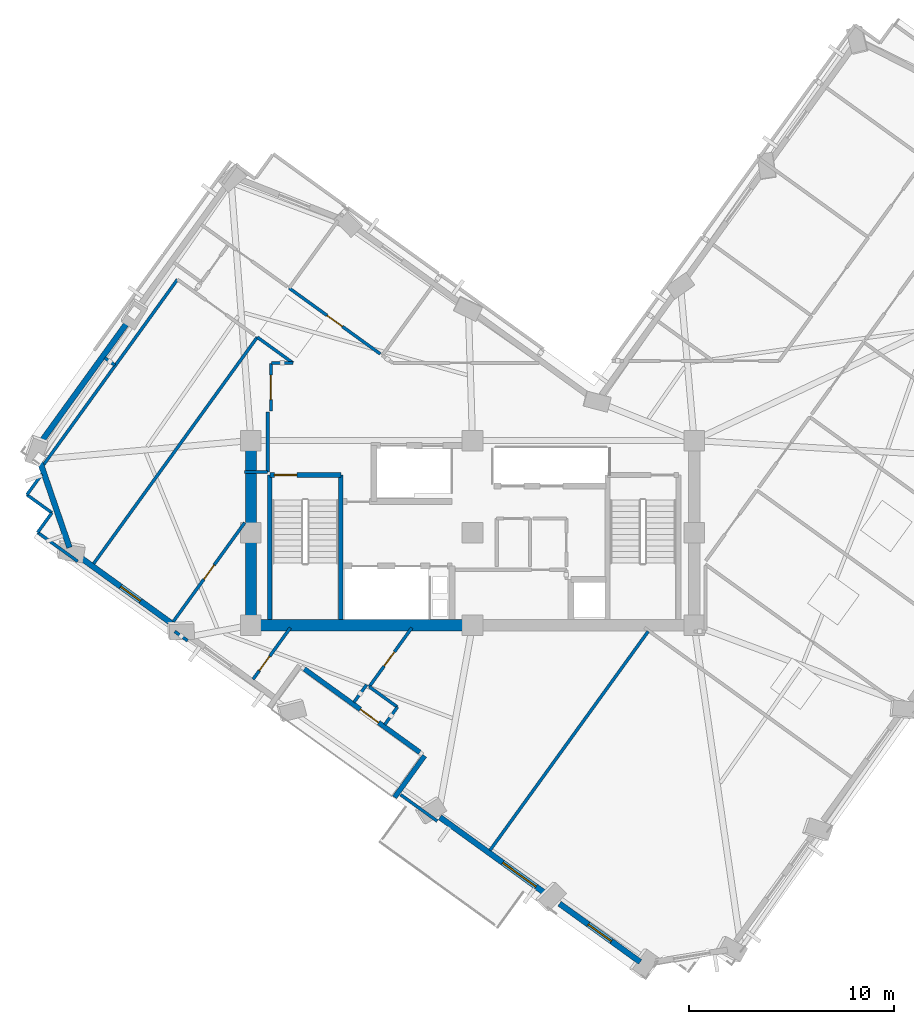
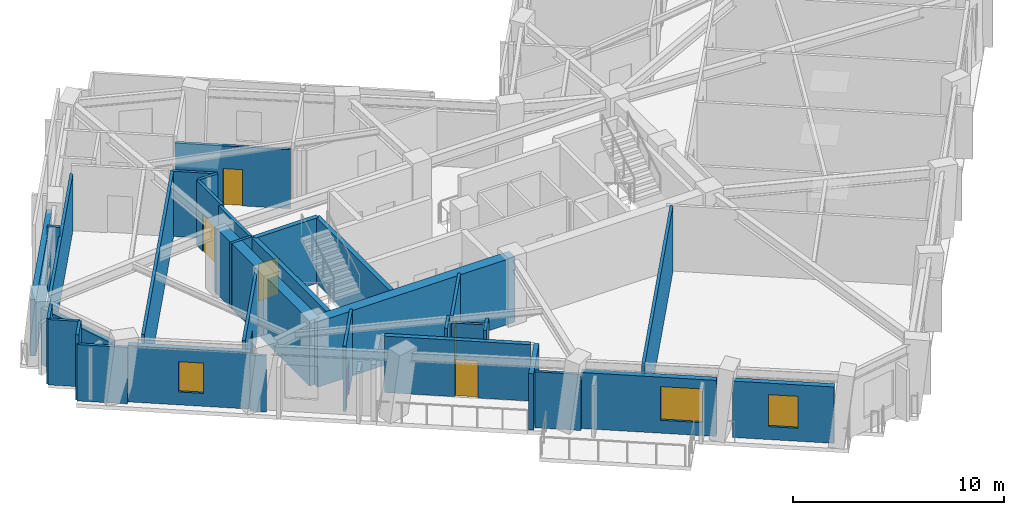
# One storey, part 4 of 13: 34 walls, 7 doors, 3 windows, 10 openings.
"""IFC4 building model written with IfcOpenShell, lengths in metres."""

from ifc_helpers import new_model, si_unit, direction, frame, frame_2d, origin, place, context, subcontext, project, spatial, rectangle, extrude, material, layer, layer_set, type_object, element, fill, save


model = new_model("IFC4")

# Units and contexts
model_context = context("Model", 3, precision=1e-05, world=origin(), true_north=direction((0.0, 1.0)))
body_context = subcontext(model_context, "Body", "Model", "MODEL_VIEW")
ifc_project = project(units=[si_unit("LENGTHUNIT", "METRE"), si_unit("AREAUNIT", "SQUARE_METRE"), si_unit("VOLUMEUNIT", "CUBIC_METRE"), si_unit("PLANEANGLEUNIT", "RADIAN"), si_unit("MASSUNIT", "GRAM", prefix="KILO")], contexts=[model_context])

# Site, building, storey
site_placement = place(None, origin())
site = spatial("IfcSite", under=ifc_project, at=site_placement, CompositionType="ELEMENT")
building_placement = place(site_placement, origin())
building = spatial("IfcBuilding", under=site, at=building_placement, Name="Gaonmaruhae Medical Tower", CompositionType="ELEMENT")
storey_placement = place(building_placement, frame((0.0, 0.0, 255.199951171875)))
storey = spatial("IfcBuildingStorey", under=building, at=storey_placement, Name="L61", CompositionType="ELEMENT", Elevation=255.199951171875)

# Walls
ifc_material_1 = material(Name="Concrete C50/60", Category="concrete")
ifc_layer_1 = layer(ifc_material_1, 0.550048828125)
ifc_layer_set_1 = layer_set([ifc_layer_1], Name="Concrete C50/60")
wall_type_1 = type_object("IfcWallType", Name="CW-550 Mid-High Core Shear Wall", PredefinedType="SHEAR", material=ifc_layer_set_1)
wall_1_placement = place(storey_placement, frame((14.0, 7.800048828125, 0.0), z_axis=(0.0, 0.0, 1.0), x_axis=(1.0, 0.0, 0.0)))
element("IfcWall", 1, at=wall_1_placement, inside=storey, type_object=wall_type_1, Name="L61 Core Shear Wall CSW-S1", PredefinedType="SHEAR", context=body_context, shape_type="SweptSolid", body=[
    extrude(rectangle(XDim=10.800048828125, YDim=0.550048828125, at=frame_2d((5.39990234375, 0.0))), origin(), (0.0, 0.0, 1.0), 3.780029296875),
])
wall_2_placement = place(storey_placement, frame((14.0, 16.800048828125, 0.0), z_axis=(0.0, 0.0, 1.0), x_axis=(0.0, -1.0, 0.0)))
element("IfcWall", 2, at=wall_2_placement, inside=storey, type_object=wall_type_1, Name="L61 Core Shear Wall CSW-W1", PredefinedType="SHEAR", context=body_context, shape_type="SweptSolid", body=[
    extrude(rectangle(XDim=9.0, YDim=0.550048828125, at=frame_2d((4.5, 0.0))), origin(), (0.0, 0.0, 1.0), 3.780029296875),
])

# Wall, opening, door
ifc_material_2 = material(Name="Precast concrete C45/55", Category="concrete")
ifc_layer_2 = layer(ifc_material_2, 0.239990234375)
ifc_layer_set_2 = layer_set([ifc_layer_2], Name="Precast concrete C45/55")
wall_type_2 = type_object("IfcWallType", Name="EW-240 Ribbon & Shelter Insulated Precast Wall", PredefinedType="SOLIDWALL", material=ifc_layer_set_2)
wall_3_placement = place(storey_placement, frame((22.2392578125, 1.59814453125, 0.0), z_axis=(0.0, 0.0, 1.0), x_axis=(-0.810564518145, 0.585649350656, 0.0)))
wall_3 = element("IfcWall", 3, at=wall_3_placement, inside=storey, type_object=wall_type_2, Name="L61 Recessed Terrace Enclosure Wall TERB", PredefinedType="SOLIDWALL", context=body_context, shape_type="SweptSolid", body=[
    extrude(rectangle(XDim=6.960205078125, YDim=0.239990234375, at=frame_2d((3.47998046875, 0.0))), origin(), (0.0, 0.0, 1.0), 3.26513671875),
])
opening_1_placement = place(wall_3_placement, frame((2.485107421875, 0.0, 0.0)))
opening_1 = element("IfcOpeningElement", 4, at=opening_1_placement, cuts=wall_3, Name="Opening TD-01", PredefinedType="OPENING", context=body_context, shape_type="SweptSolid", body=[
    extrude(rectangle(XDim=1.10009765625, YDim=2.14990234375, at=frame_2d((0.550048828125, 1.074951171875))), frame((0.0, 0.1298828125, 0.0), z_axis=(0.0, -1.0, 0.0), x_axis=(1.0, 0.0, 0.0)), (0.0, 0.0, 1.0), 0.260009765625),
])
ifc_material_3 = material(Name="Anodised aluminium and toughened safety glass", Category="aluminium")
door_type_1 = type_object("IfcDoorType", Name="TD-01 Terrace & Sky Garden Glazed Door 1100x2150", OperationType="NOTDEFINED", PredefinedType="DOOR", material=ifc_material_3)
door_1_placement = place(opening_1_placement, origin())
door_1 = element("IfcDoor", 5, at=door_1_placement, inside=storey, type_object=door_type_1, Name="L61 Outdoor Terrace Access Door SLB-L61-TER", OperationType="SINGLE_SWING_LEFT", OverallHeight=2.14990234375, OverallWidth=1.10009765625, PredefinedType="DOOR", context=body_context, shape_type="SweptSolid", body=[
    extrude(rectangle(XDim=1.10009765625, YDim=2.14990234375, at=frame_2d((0.550048828125, 1.074951171875))), frame((0.0, 0.02490234375, 0.0), z_axis=(0.0, -1.0, 0.0), x_axis=(1.0, 0.0, 0.0)), (0.0, 0.0, 1.0), 0.050048828125),
])
fill(opening_1, door_1)

# Walls
wall_4_placement = place(storey_placement, frame((21.001953125, -0.59228515625, 0.0), z_axis=(0.0, 0.0, 1.0), x_axis=(0.585654559629, 0.810560754531, 0.0)))
element("IfcWall", 6, at=wall_4_placement, inside=storey, type_object=wall_type_2, Name="L61 Recessed Terrace Enclosure Wall TERL", PredefinedType="SOLIDWALL", context=body_context, shape_type="SweptSolid", body=[
    extrude(rectangle(XDim=2.5, YDim=0.239990234375, at=frame_2d((1.25, 0.0))), origin(), (0.0, 0.0, 1.0), 3.26513671875),
])
ifc_layer_3 = layer(ifc_material_2, 0.280029296875)
ifc_layer_set_3 = layer_set([ifc_layer_3], Name="Precast concrete C45/55")
wall_type_3 = type_object("IfcWallType", Name="EW-280 Upper Precast Masonry-Frame Facade Wall", PredefinedType="SOLIDWALL", material=ifc_layer_set_3)
wall_5_placement = place(storey_placement, frame((3.62158203125, 16.5205078125, 0.0), z_axis=(0.0, 0.0, 1.0), x_axis=(0.585672755105, 0.810547607441, 0.0)))
element("IfcWall", 7, at=wall_5_placement, inside=storey, type_object=wall_type_3, Name="L61 Precast Masonry-Frame Wall N02-N03", PredefinedType="SOLIDWALL", context=body_context, shape_type="SweptSolid", body=[
    extrude(rectangle(XDim=7.484619140625, YDim=0.280029296875, at=frame_2d((3.7421875, 0.0))), origin(), (0.0, 0.0, 1.0), 3.26513671875),
])
wall_6_placement = place(storey_placement, frame((5.158203125, 11.5830078125, 0.0), z_axis=(0.0, 0.0, 1.0), x_axis=(-0.324440430391, 0.945906130188, 0.0)))
element("IfcWall", 8, at=wall_6_placement, inside=storey, type_object=wall_type_3, Name="L61 Precast Masonry-Frame Wall N03-W01", PredefinedType="SOLIDWALL", context=body_context, shape_type="SweptSolid", body=[
    extrude(rectangle(XDim=4.408203125, YDim=0.280029296875, at=frame_2d((2.2041015625, 0.0))), origin(), (0.0, 0.0, 1.0), 3.26513671875),
])

# Wall, opening, window
wall_7_placement = place(storey_placement, frame((10.42041015625, 7.6826171875, 0.0), z_axis=(0.0, 0.0, 1.0), x_axis=(-0.810541185411, 0.585681642834, 0.0)))
wall_7 = element("IfcWall", 9, at=wall_7_placement, inside=storey, type_object=wall_type_3, Name="L61 Precast Masonry-Frame Wall W01-W02", PredefinedType="SOLIDWALL", context=body_context, shape_type="SweptSolid", body=[
    extrude(rectangle(XDim=5.83056640625, YDim=0.280029296875, at=frame_2d((2.915283203125, 0.0))), origin(), (0.0, 0.0, 1.0), 3.26513671875),
])
opening_2_placement = place(wall_7_placement, frame((2.216796875, 0.0, 0.75)))
opening_2 = element("IfcOpeningElement", 10, at=opening_2_placement, cuts=wall_7, Name="Opening WN-05", PredefinedType="OPENING", context=body_context, shape_type="SweptSolid", body=[
    extrude(rectangle(XDim=1.199951171875, YDim=1.75, at=frame_2d((0.60009765625, 0.875))), frame((0.0, 0.14990234375, 0.0), z_axis=(0.0, -1.0, 0.0), x_axis=(1.0, 0.0, 0.0)), (0.0, 0.0, 1.0), 0.300048828125),
])
ifc_material_4 = material(Name="Anodised aluminium and Low-E double glazing", Category="aluminium")
window_type_1 = type_object("IfcWindowType", Name="WN-05 Support & Staff Punched Window 1200x1750", PartitioningType="SINGLE_PANEL", PredefinedType="WINDOW", material=ifc_material_4)
window_1_placement = place(opening_2_placement, origin())
window_1 = element("IfcWindow", 11, at=window_1_placement, inside=storey, type_object=window_type_1, Name="L61 Modular Facade Window W01", OverallHeight=1.75, OverallWidth=1.199951171875, PartitioningType="SINGLE_PANEL", PredefinedType="WINDOW", context=body_context, shape_type="SweptSolid", body=[
    extrude(rectangle(XDim=1.199951171875, YDim=1.75, at=frame_2d((0.60009765625, 0.875))), frame((0.0, 0.030029296875, 0.0), z_axis=(0.0, -1.0, 0.0), x_axis=(1.0, 0.0, 0.0)), (0.0, 0.0, 1.0), 0.06005859375),
])
fill(opening_2, window_1)

wall_8_placement = place(storey_placement, frame((28.422119140625, -5.324462890625, 0.0), z_axis=(0.0, 0.0, 1.0), x_axis=(-0.810547947174, 0.585672284928, 0.0)))
wall_8 = element("IfcWall", 12, at=wall_8_placement, inside=storey, type_object=wall_type_3, Name="L61 Precast Masonry-Frame Wall W04-W05", PredefinedType="SOLIDWALL", context=body_context, shape_type="SweptSolid", body=[
    extrude(rectangle(XDim=6.425048828125, YDim=0.280029296875, at=frame_2d((3.21240234375, 0.0))), origin(), (0.0, 0.0, 1.0), 3.2451171875),
])
opening_3_placement = place(wall_8_placement, frame((0.652587890625, 0.0, 0.75)))
opening_3 = element("IfcOpeningElement", 13, at=opening_3_placement, cuts=wall_8, Name="Opening WN-02", PredefinedType="OPENING", context=body_context, shape_type="SweptSolid", body=[
    extrude(rectangle(XDim=2.0, YDim=1.949951171875, at=frame_2d((1.0, 0.97509765625))), frame((0.0, 0.14990234375, 0.0), z_axis=(0.0, -1.0, 0.0), x_axis=(1.0, 0.0, 0.0)), (0.0, 0.0, 1.0), 0.300048828125),
])
window_type_2 = type_object("IfcWindowType", Name="WN-02 Double-Bed Ward Punched Window 2000x1950", PartitioningType="SINGLE_PANEL", PredefinedType="WINDOW", material=ifc_material_4)
window_2_placement = place(opening_3_placement, origin())
window_2 = element("IfcWindow", 14, at=window_2_placement, inside=storey, type_object=window_type_2, Name="L61 Modular Facade Window W04", OverallHeight=1.949951171875, OverallWidth=2.0, PartitioningType="SINGLE_PANEL", PredefinedType="WINDOW", context=body_context, shape_type="SweptSolid", body=[
    extrude(rectangle(XDim=2.0, YDim=1.949951171875, at=frame_2d((1.0, 0.97509765625))), frame((0.0, 0.030029296875, 0.0), z_axis=(0.0, -1.0, 0.0), x_axis=(1.0, 0.0, 0.0)), (0.0, 0.0, 1.0), 0.06005859375),
])
fill(opening_3, window_2)

wall_9_placement = place(storey_placement, frame((32.974853515625, -8.614013671875, 0.0), z_axis=(0.0, 0.0, 1.0), x_axis=(-0.810565183375, 0.585648429948, 0.0)))
wall_9 = element("IfcWall", 15, at=wall_9_placement, inside=storey, type_object=wall_type_3, Name="L61 Precast Masonry-Frame Wall W05-W06", PredefinedType="SOLIDWALL", context=body_context, shape_type="SweptSolid", body=[
    extrude(rectangle(XDim=4.855224609375, YDim=0.280029296875, at=frame_2d((2.427734375, 0.0))), origin(), (0.0, 0.0, 1.0), 3.26513671875),
])
opening_4_placement = place(wall_9_placement, frame((1.732666015625, 0.0, 0.75)))
opening_4 = element("IfcOpeningElement", 16, at=opening_4_placement, cuts=wall_9, Name="Opening WN-03", PredefinedType="OPENING", context=body_context, shape_type="SweptSolid", body=[
    extrude(rectangle(XDim=1.39990234375, YDim=1.85009765625, at=frame_2d((0.699951171875, 0.925048828125))), frame((0.0, 0.14990234375, 0.0), z_axis=(0.0, -1.0, 0.0), x_axis=(1.0, 0.0, 0.0)), (0.0, 0.0, 1.0), 0.300048828125),
])
window_type_3 = type_object("IfcWindowType", Name="WN-03 Isolation Ward Punched Window 1400x1850", PartitioningType="SINGLE_PANEL", PredefinedType="WINDOW", material=ifc_material_4)
window_3_placement = place(opening_4_placement, origin())
window_3 = element("IfcWindow", 17, at=window_3_placement, inside=storey, type_object=window_type_3, Name="L61 Modular Facade Window W05", OverallHeight=1.85009765625, OverallWidth=1.39990234375, PartitioningType="SINGLE_PANEL", PredefinedType="WINDOW", context=body_context, shape_type="SweptSolid", body=[
    extrude(rectangle(XDim=1.39990234375, YDim=1.85009765625, at=frame_2d((0.699951171875, 0.925048828125))), frame((0.0, 0.030029296875, 0.0), z_axis=(0.0, -1.0, 0.0), x_axis=(1.0, 0.0, 0.0)), (0.0, 0.0, 1.0), 0.06005859375),
])
fill(opening_4, window_3)

# Walls
ifc_material_5 = material(Name="Gypsum board partition", Category="gypsum")
ifc_layer_4 = layer(ifc_material_5, 0.14990234375)
ifc_layer_set_4 = layer_set([ifc_layer_4], Name="Gypsum board partition")
wall_type_4 = type_object("IfcWallType", Name="PW-150 Rated Clinical Corridor Partition", PredefinedType="PARTITIONING", material=ifc_layer_set_4)
wall_10_placement = place(storey_placement, frame((23.080078125, -1.748046875, 0.0), z_axis=(0.0, 0.0, 1.0), x_axis=(-0.810573923861, 0.585636332511, 0.0)))
element("IfcWall", 18, at=wall_10_placement, inside=storey, type_object=wall_type_4, Name="L61 Interior Partition L61-WOF11-34", PredefinedType="PARTITIONING", context=body_context, shape_type="SweptSolid", body=[
    extrude(rectangle(XDim=2.201171875, YDim=0.14990234375, at=frame_2d((1.1005859375, 0.0))), origin(), (0.0, 0.0, 1.0), 3.2451171875),
])
wall_11_placement = place(storey_placement, frame((33.363037109375, 7.5, 0.0), z_axis=(0.0, 0.0, 1.0), x_axis=(-0.585650908252, -0.810563392748, 0.0)))
element("IfcWall", 19, at=wall_11_placement, inside=storey, type_object=wall_type_4, Name="L61 Interior Partition L61-WOF11-36", PredefinedType="PARTITIONING", context=body_context, shape_type="SweptSolid", body=[
    extrude(rectangle(XDim=13.173583984375, YDim=0.14990234375, at=frame_2d((6.5869140625, 0.0))), origin(), (0.0, 0.0, 1.0), 3.780029296875),
])
wall_12_placement = place(storey_placement, frame((20.52392578125, 2.955078125, 0.0), z_axis=(0.0, 0.0, 1.0), x_axis=(0.585304564063, 0.810813521894, 0.0)))
element("IfcWall", 20, at=wall_12_placement, inside=storey, type_object=wall_type_4, Name="L61 Interior Partition L61-WOF12-37", PredefinedType="PARTITIONING", context=body_context, shape_type="SweptSolid", body=[
    extrude(rectangle(XDim=1.054443359375, YDim=0.14990234375, at=frame_2d((0.52734375, 0.0))), origin(), (0.0, 0.0, 1.0), 3.780029296875),
])
wall_13_placement = place(storey_placement, frame((21.14111328125, 3.81005859375, 0.0), z_axis=(0.0, 0.0, 1.0), x_axis=(-0.810321939163, 0.58598494427, 0.0)))
element("IfcWall", 21, at=wall_13_placement, inside=storey, type_object=wall_type_4, Name="L61 Interior Partition L61-WOF12-38", PredefinedType="PARTITIONING", context=body_context, shape_type="SweptSolid", body=[
    extrude(rectangle(XDim=1.6943359375, YDim=0.14990234375, at=frame_2d((0.84716796875, 0.0))), origin(), (0.0, 0.0, 1.0), 3.4150390625),
])

# Wall, opening, door
wall_14_placement = place(storey_placement, frame((19.76806640625, 4.802978515625, 0.0), z_axis=(0.0, 0.0, 1.0), x_axis=(0.585760155667, 0.810484447743, 0.0)))
wall_14 = element("IfcWall", 22, at=wall_14_placement, inside=storey, type_object=wall_type_4, Name="L61 Interior Partition L61-WOF12-39", PredefinedType="PARTITIONING", context=body_context, shape_type="SweptSolid", body=[
    extrude(rectangle(XDim=3.537353515625, YDim=0.14990234375, at=frame_2d((1.7685546875, 0.0))), origin(), (0.0, 0.0, 1.0), 3.780029296875),
])
opening_5_placement = place(wall_14_placement, frame((1.23388671875, 0.0, 0.0)))
opening_5 = element("IfcOpeningElement", 23, at=opening_5_placement, cuts=wall_14, Name="Opening AD-01", PredefinedType="OPENING", context=body_context, shape_type="SweptSolid", body=[
    extrude(rectangle(XDim=0.860107421875, YDim=2.06005859375, at=frame_2d((0.43017578125, 1.030029296875))), frame((0.0, 0.0849609375, 0.0), z_axis=(0.0, -1.0, 0.0), x_axis=(1.0, 0.0, 0.0)), (0.0, 0.0, 1.0), 0.169921875),
])
ifc_material_6 = material(Name="Powder-coated steel access door", Category="steel")
door_type_2 = type_object("IfcDoorType", Name="AD-01 Riser & Closet Access Fire Door 860x2060", OperationType="NOTDEFINED", PredefinedType="DOOR", material=ifc_material_6)
door_2_placement = place(opening_5_placement, origin())
door_2 = element("IfcDoor", 24, at=door_2_placement, inside=storey, type_object=door_type_2, Name="L61 Ward Physician Reporting Office Sliding Door", OperationType="SLIDING_TO_LEFT", OverallHeight=2.06005859375, OverallWidth=0.860107421875, PredefinedType="DOOR", context=body_context, shape_type="SweptSolid", body=[
    extrude(rectangle(XDim=0.860107421875, YDim=2.06005859375, at=frame_2d((0.43017578125, 1.030029296875))), frame((0.0, 0.02490234375, 0.0), z_axis=(0.0, -1.0, 0.0), x_axis=(1.0, 0.0, 0.0)), (0.0, 0.0, 1.0), 0.050048828125),
])
fill(opening_5, door_2)

wall_15_placement = place(storey_placement, frame((14.10498046875, 5.162109375, 0.0), z_axis=(0.0, 0.0, 1.0), x_axis=(0.585870719432, 0.810404528684, 0.0)))
wall_15 = element("IfcWall", 25, at=wall_15_placement, inside=storey, type_object=wall_type_4, Name="L61 Interior Partition L61-WOF13-40", PredefinedType="PARTITIONING", context=body_context, shape_type="SweptSolid", body=[
    extrude(rectangle(XDim=3.094482421875, YDim=0.14990234375, at=frame_2d((1.54736328125, 0.0))), origin(), (0.0, 0.0, 1.0), 3.780029296875),
])
opening_6_placement = place(wall_15_placement, frame((0.529052734375, 0.0, 0.0)))
opening_6 = element("IfcOpeningElement", 26, at=opening_6_placement, cuts=wall_15, Name="Opening AD-01", PredefinedType="OPENING", context=body_context, shape_type="SweptSolid", body=[
    extrude(rectangle(XDim=0.860107421875, YDim=2.06005859375, at=frame_2d((0.43017578125, 1.030029296875))), frame((0.0, 0.0849609375, 0.0), z_axis=(0.0, -1.0, 0.0), x_axis=(1.0, 0.0, 0.0)), (0.0, 0.0, 1.0), 0.169921875),
])
door_3_placement = place(opening_6_placement, origin())
door_3 = element("IfcDoor", 27, at=door_3_placement, inside=storey, type_object=door_type_2, Name="L61 Ward Physician Reporting Office Sliding Door", OperationType="SLIDING_TO_LEFT", OverallHeight=2.06005859375, OverallWidth=0.860107421875, PredefinedType="DOOR", context=body_context, shape_type="SweptSolid", body=[
    extrude(rectangle(XDim=0.860107421875, YDim=2.06005859375, at=frame_2d((0.43017578125, 1.030029296875))), frame((0.0, 0.02490234375, 0.0), z_axis=(0.0, -1.0, 0.0), x_axis=(1.0, 0.0, 0.0)), (0.0, 0.0, 1.0), 0.050048828125),
])
fill(opening_6, door_3)

# Walls
wall_16_placement = place(storey_placement, frame((19.637939453125, 4.89697265625, 0.0), z_axis=(0.0, 0.0, 1.0), x_axis=(-0.585321668989, -0.810801174032, 0.0)))
element("IfcWall", 28, at=wall_16_placement, inside=storey, type_object=wall_type_4, Name="L61 Interior Partition L61-WOF13-41", PredefinedType="PARTITIONING", context=body_context, shape_type="SweptSolid", body=[
    extrude(rectangle(XDim=1.0556640625, YDim=0.14990234375, at=frame_2d((0.52783203125, 0.0))), origin(), (0.0, 0.0, 1.0), 3.780029296875),
])
wall_17_placement = place(storey_placement, frame((10.919921875, 7.0380859375, 0.0), z_axis=(0.0, 0.0, 1.0), x_axis=(-0.810621608794, 0.585570326568, 0.0)))
element("IfcWall", 29, at=wall_17_placement, inside=storey, type_object=wall_type_4, Name="L61 Interior Partition L61-WOF14-42", PredefinedType="PARTITIONING", context=body_context, shape_type="SweptSolid", body=[
    extrude(rectangle(XDim=0.7822265625, YDim=0.14990234375, at=frame_2d((0.39111328125, 0.0))), origin(), (0.0, 0.0, 1.0), 3.2451171875),
])

# Wall, opening, door
wall_18_placement = place(storey_placement, frame((10.215087890625, 7.972900390625, 0.0), z_axis=(0.0, 0.0, 1.0), x_axis=(0.585568437411, 0.810622973465, 0.0)))
wall_18 = element("IfcWall", 30, at=wall_18_placement, inside=storey, type_object=wall_type_4, Name="L61 Interior Partition L61-WOF14-43", PredefinedType="PARTITIONING", context=body_context, shape_type="SweptSolid", body=[
    extrude(rectangle(XDim=5.951171875, YDim=0.14990234375, at=frame_2d((2.9755859375, 0.0))), origin(), (0.0, 0.0, 1.0), 3.780029296875),
])
opening_7_placement = place(wall_18_placement, frame((2.545654296875, 0.0, 0.0)))
opening_7 = element("IfcOpeningElement", 31, at=opening_7_placement, cuts=wall_18, Name="Opening AD-01", PredefinedType="OPENING", context=body_context, shape_type="SweptSolid", body=[
    extrude(rectangle(XDim=0.860107421875, YDim=2.06005859375, at=frame_2d((0.43017578125, 1.030029296875))), frame((0.0, 0.0849609375, 0.0), z_axis=(0.0, -1.0, 0.0), x_axis=(1.0, 0.0, 0.0)), (0.0, 0.0, 1.0), 0.169921875),
])
door_4_placement = place(opening_7_placement, origin())
door_4 = element("IfcDoor", 32, at=door_4_placement, inside=storey, type_object=door_type_2, Name="L61 Ward Physician Reporting Office Sliding Door", OperationType="SLIDING_TO_LEFT", OverallHeight=2.06005859375, OverallWidth=0.860107421875, PredefinedType="DOOR", context=body_context, shape_type="SweptSolid", body=[
    extrude(rectangle(XDim=0.860107421875, YDim=2.06005859375, at=frame_2d((0.43017578125, 1.030029296875))), frame((0.0, 0.02490234375, 0.0), z_axis=(0.0, -1.0, 0.0), x_axis=(1.0, 0.0, 0.0)), (0.0, 0.0, 1.0), 0.050048828125),
])
fill(opening_7, door_4)

wall_19_placement = place(storey_placement, frame((14.969970703125, 20.550048828125, 0.0), z_axis=(0.0, 0.0, 1.0), x_axis=(0.0, -1.0, 0.0)))
wall_19 = element("IfcWall", 33, at=wall_19_placement, inside=storey, type_object=wall_type_4, Name="L61 Interior Partition L61-WOF15-44", PredefinedType="PARTITIONING", context=body_context, shape_type="SweptSolid", body=[
    extrude(rectangle(XDim=2.320068359375, YDim=0.14990234375, at=frame_2d((1.16015625, 0.0))), origin(), (0.0, 0.0, 1.0), 3.780029296875),
])
opening_8_placement = place(wall_19_placement, frame((0.56005859375, 0.0, 0.0)))
opening_8 = element("IfcOpeningElement", 34, at=opening_8_placement, cuts=wall_19, Name="Opening CD-02", PredefinedType="OPENING", context=body_context, shape_type="SweptSolid", body=[
    extrude(rectangle(XDim=1.199951171875, YDim=2.14990234375, at=frame_2d((0.60009765625, 1.074951171875))), frame((0.0, 0.0849609375, 0.0), z_axis=(0.0, -1.0, 0.0), x_axis=(1.0, 0.0, 0.0)), (0.0, 0.0, 1.0), 0.169921875),
])
ifc_material_7 = material(Name="Antimicrobial laminate timber fire door", Category="wood")
door_type_3 = type_object("IfcDoorType", Name="CD-02 Clinical Treatment & Procedure Door 1200x2150", OperationType="NOTDEFINED", PredefinedType="DOOR", material=ifc_material_7)
door_5_placement = place(opening_8_placement, origin())
door_5 = element("IfcDoor", 35, at=door_5_placement, inside=storey, type_object=door_type_3, Name="L61 Ward Physician Reporting Office Door", OperationType="SINGLE_SWING_LEFT", OverallHeight=2.14990234375, OverallWidth=1.199951171875, PredefinedType="DOOR", context=body_context, shape_type="SweptSolid", body=[
    extrude(rectangle(XDim=1.199951171875, YDim=2.14990234375, at=frame_2d((0.60009765625, 1.074951171875))), frame((0.0, 0.02490234375, 0.0), z_axis=(0.0, -1.0, 0.0), x_axis=(1.0, 0.0, 0.0)), (0.0, 0.0, 1.0), 0.050048828125),
])
fill(opening_8, door_5)

# Walls
wall_20_placement = place(storey_placement, frame((14.820068359375, 18.199951171875, 0.0), z_axis=(0.0, 0.0, 1.0), x_axis=(0.0, -1.0, 0.0)))
element("IfcWall", 36, at=wall_20_placement, inside=storey, type_object=wall_type_4, Name="L61 Interior Partition L61-WOF15-45", PredefinedType="PARTITIONING", context=body_context, shape_type="SweptSolid", body=[
    extrude(rectangle(XDim=2.93994140625, YDim=0.14990234375, at=frame_2d((1.469970703125, 0.0))), origin(), (0.0, 0.0, 1.0), 3.780029296875),
])
wall_21_placement = place(storey_placement, frame((14.820068359375, 15.260009765625, 0.0), z_axis=(0.0, 0.0, 1.0), x_axis=(-1.0, 0.0, 0.0)))
element("IfcWall", 37, at=wall_21_placement, inside=storey, type_object=wall_type_4, Name="L61 Interior Partition L61-WOF15-46", PredefinedType="PARTITIONING", context=body_context, shape_type="SweptSolid", body=[
    extrude(rectangle(XDim=1.1201171875, YDim=0.14990234375, at=frame_2d((0.56005859375, 0.0))), origin(), (0.0, 0.0, 1.0), 3.780029296875),
])
wall_22_placement = place(storey_placement, frame((6.323974609375, 10.783935546875, 0.0), z_axis=(0.0, 0.0, 1.0), x_axis=(0.585687308948, 0.810537091155, 0.0)))
element("IfcWall", 38, at=wall_22_placement, inside=storey, type_object=wall_type_4, Name="L61 Interior Partition L61-WOF15-47", PredefinedType="PARTITIONING", context=body_context, shape_type="SweptSolid", body=[
    extrude(rectangle(XDim=13.635498046875, YDim=0.14990234375, at=frame_2d((6.81787109375, 0.0))), origin(), (0.0, 0.0, 1.0), 3.780029296875),
])
wall_23_placement = place(storey_placement, frame((14.31005859375, 21.8359375, 0.0), z_axis=(0.0, 0.0, 1.0), x_axis=(0.810544103315, -0.585677604643, 0.0)))
element("IfcWall", 39, at=wall_23_placement, inside=storey, type_object=wall_type_4, Name="L61 Interior Partition L61-WOF15-48", PredefinedType="PARTITIONING", context=body_context, shape_type="SweptSolid", body=[
    extrude(rectangle(XDim=2.144287109375, YDim=0.14990234375, at=frame_2d((1.072265625, 0.0))), origin(), (0.0, 0.0, 1.0), 3.780029296875),
])
wall_24_placement = place(storey_placement, frame((16.048095703125, 20.580078125, 0.0), z_axis=(0.0, 0.0, 1.0), x_axis=(-1.0, 0.0, 0.0)))
element("IfcWall", 40, at=wall_24_placement, inside=storey, type_object=wall_type_4, Name="L61 Interior Partition L61-WOF15-49", PredefinedType="PARTITIONING", context=body_context, shape_type="SweptSolid", body=[
    extrude(rectangle(XDim=1.051025390625, YDim=0.14990234375, at=frame_2d((0.525390625, 0.0))), origin(), (0.0, 0.0, 1.0), 3.780029296875),
])
wall_25_placement = place(storey_placement, frame((3.0849609375, 14.155029296875, 0.0), z_axis=(0.0, 0.0, 1.0), x_axis=(0.585519345378, 0.810658433736, 0.0)))
element("IfcWall", 41, at=wall_25_placement, inside=storey, type_object=wall_type_4, Name="L61 Interior Partition L61-WOF16-50", PredefinedType="PARTITIONING", context=body_context, shape_type="SweptSolid", body=[
    extrude(rectangle(XDim=1.23828125, YDim=0.14990234375, at=frame_2d((0.619140625, 0.0))), origin(), (0.0, 0.0, 1.0), 3.780029296875),
])
wall_26_placement = place(storey_placement, frame((3.89599609375, 15.618896484375, 0.0), z_axis=(0.0, 0.0, 1.0), x_axis=(0.585648203919, 0.810565346685, 0.0)))
element("IfcWall", 42, at=wall_26_placement, inside=storey, type_object=wall_type_4, Name="L61 Interior Partition L61-WOF16-51", PredefinedType="PARTITIONING", context=body_context, shape_type="SweptSolid", body=[
    extrude(rectangle(XDim=11.137939453125, YDim=0.14990234375, at=frame_2d((5.56884765625, 0.0))), origin(), (0.0, 0.0, 1.0), 3.26513671875),
])
wall_27_placement = place(storey_placement, frame((5.55908203125, 10.910888671875, 0.0), z_axis=(0.0, 0.0, 1.0), x_axis=(-0.810540070568, 0.585683185693, 0.0)))
element("IfcWall", 43, at=wall_27_placement, inside=storey, type_object=wall_type_4, Name="L61 Interior Partition L61-WOF16-53", PredefinedType="PARTITIONING", context=body_context, shape_type="SweptSolid", body=[
    extrude(rectangle(XDim=2.406005859375, YDim=0.14990234375, at=frame_2d((1.203125, 0.0))), origin(), (0.0, 0.0, 1.0), 3.26513671875),
])
wall_28_placement = place(storey_placement, frame((3.60888671875, 12.320068359375, 0.0), z_axis=(0.0, 0.0, 1.0), x_axis=(0.585475452093, 0.810690135006, 0.0)))
element("IfcWall", 44, at=wall_28_placement, inside=storey, type_object=wall_type_4, Name="L61 Interior Partition L61-WOF16-54", PredefinedType="PARTITIONING", context=body_context, shape_type="SweptSolid", body=[
    extrude(rectangle(XDim=1.180419921875, YDim=0.14990234375, at=frame_2d((0.59033203125, 0.0))), origin(), (0.0, 0.0, 1.0), 3.780029296875),
])
wall_29_placement = place(storey_placement, frame((4.300048828125, 13.277099609375, 0.0), z_axis=(0.0, 0.0, 1.0), x_axis=(-0.810563260174, 0.585651091739, 0.0)))
element("IfcWall", 45, at=wall_29_placement, inside=storey, type_object=wall_type_4, Name="L61 Interior Partition L61-WOF16-55", PredefinedType="PARTITIONING", context=body_context, shape_type="SweptSolid", body=[
    extrude(rectangle(XDim=1.4990234375, YDim=0.14990234375, at=frame_2d((0.74951171875, 0.0))), origin(), (0.0, 0.0, 1.0), 3.780029296875),
])

# Wall, opening, door
wall_30_placement = place(storey_placement, frame((20.306884765625, 21.01904296875, 0.0), z_axis=(0.0, 0.0, 1.0), x_axis=(-0.810596982644, 0.585604415735, 0.0)))
wall_30 = element("IfcWall", 46, at=wall_30_placement, inside=storey, type_object=wall_type_4, Name="L61 Interior Partition L61-IN02-82", PredefinedType="PARTITIONING", context=body_context, shape_type="SweptSolid", body=[
    extrude(rectangle(XDim=5.479736328125, YDim=0.14990234375, at=frame_2d((2.73974609375, 0.0))), origin(), (0.0, 0.0, 1.0), 3.4150390625),
])
opening_9_placement = place(wall_30_placement, frame((2.27978515625, 0.0, 0.0)))
opening_9 = element("IfcOpeningElement", 47, at=opening_9_placement, cuts=wall_30, Name="Opening UD-01", PredefinedType="OPENING", context=body_context, shape_type="SweptSolid", body=[
    extrude(rectangle(XDim=0.919921875, YDim=2.10009765625, at=frame_2d((0.4599609375, 1.050048828125))), frame((0.0, 0.0849609375, 0.0), z_axis=(0.0, -1.0, 0.0), x_axis=(1.0, 0.0, 0.0)), (0.0, 0.0, 1.0), 0.169921875),
])
ifc_material_8 = material(Name="Powder-coated steel utility door", Category="steel")
door_type_4 = type_object("IfcDoorType", Name="UD-01 Toilet, Utility & Housekeeping Door 920x2100", OperationType="NOTDEFINED", PredefinedType="DOOR", material=ifc_material_8)
door_6_placement = place(opening_9_placement, origin())
door_6 = element("IfcDoor", 48, at=door_6_placement, inside=storey, type_object=door_type_4, Name="L61 Ward Nutrition Pantry Door", OperationType="SINGLE_SWING_RIGHT", OverallHeight=2.10009765625, OverallWidth=0.919921875, PredefinedType="DOOR", context=body_context, shape_type="SweptSolid", body=[
    extrude(rectangle(XDim=0.919921875, YDim=2.10009765625, at=frame_2d((0.4599609375, 1.050048828125))), frame((0.0, 0.02490234375, 0.0), z_axis=(0.0, -1.0, 0.0), x_axis=(1.0, 0.0, 0.0)), (0.0, 0.0, 1.0), 0.050048828125),
])
fill(opening_9, door_6)

# Wall
wall_31_placement = place(storey_placement, frame((7.375, 20.468994140625, 0.0), z_axis=(0.0, 0.0, 1.0), x_axis=(-0.810364866816, 0.585925577723, 0.0)))
element("IfcWall", 49, at=wall_31_placement, inside=storey, type_object=wall_type_4, Name="L61 Interior Partition L61-RM02-91", PredefinedType="PARTITIONING", context=body_context, shape_type="SweptSolid", body=[
    extrude(rectangle(XDim=0.614501953125, YDim=0.14990234375, at=frame_2d((0.30712890625, 0.0))), origin(), (0.0, 0.0, 1.0), 3.780029296875),
])

# Wall, opening, door
ifc_layer_5 = layer(ifc_material_1, 0.239990234375)
ifc_layer_set_5 = layer_set([ifc_layer_5], Name="Concrete C50/60")
wall_type_5 = type_object("IfcWallType", Name="SW-240 Dogleg Stair Tight Shaft Wall", PredefinedType="SOLIDWALL", material=ifc_layer_set_5)
wall_32_placement = place(storey_placement, frame((14.919921875, 15.1201171875, 0.0), z_axis=(0.0, 0.0, 1.0), x_axis=(1.0, 0.0, 0.0)))
wall_32 = element("IfcWall", 50, at=wall_32_placement, inside=storey, type_object=wall_type_5, Name="L61 ST-01 Stair Shaft Wall SHW-ST-01-N", PredefinedType="SOLIDWALL", context=body_context, shape_type="SweptSolid", body=[
    extrude(rectangle(XDim=3.4599609375, YDim=0.239990234375, at=frame_2d((1.72998046875, 0.0))), origin(), (0.0, 0.0, 1.0), 3.780029296875),
])
opening_10_placement = place(wall_32_placement, frame((0.219970703125, 0.0, 0.0)))
opening_10 = element("IfcOpeningElement", 51, at=opening_10_placement, cuts=wall_32, Name="Opening FD-01", PredefinedType="OPENING", context=body_context, shape_type="SweptSolid", body=[
    extrude(rectangle(XDim=1.10009765625, YDim=2.14990234375, at=frame_2d((0.550048828125, 1.074951171875))), frame((0.0, 0.1298828125, 0.0), z_axis=(0.0, -1.0, 0.0), x_axis=(1.0, 0.0, 0.0)), (0.0, 0.0, 1.0), 0.260009765625),
])
ifc_material_9 = material(Name="Powder-coated steel fire door", Category="steel")
door_type_5 = type_object("IfcDoorType", Name="FD-01 Escape Stair Protected Fire Door 1100x2150", OperationType="NOTDEFINED", PredefinedType="DOOR", material=ifc_material_9)
door_7_placement = place(opening_10_placement, origin())
door_7 = element("IfcDoor", 52, at=door_7_placement, inside=storey, type_object=door_type_5, Name="L61 ST-01 Protected Escape Stair Door", OperationType="SINGLE_SWING_LEFT", OverallHeight=2.14990234375, OverallWidth=1.10009765625, PredefinedType="DOOR", context=body_context, shape_type="SweptSolid", body=[
    extrude(rectangle(XDim=1.10009765625, YDim=2.14990234375, at=frame_2d((0.550048828125, 1.074951171875))), frame((0.0, 0.02490234375, 0.0), z_axis=(0.0, -1.0, 0.0), x_axis=(1.0, 0.0, 0.0)), (0.0, 0.0, 1.0), 0.050048828125),
])
fill(opening_10, door_7)

# Walls
for number, where, z_axis, x_axis, name in (
    (53, (18.3798828125, 15.1201171875, 0.0), (0.0, 0.0, 1.0), (0.0, -1.0, 0.0), "L61 ST-01 Stair Shaft Wall SHW-ST-01-E"),
    (54, (14.919921875, 8.074951171875, 0.0), (0.0, 0.0, 1.0), (0.0, 1.0, 0.0), "L61 ST-01 Stair Shaft Wall SHW-ST-01-W"),
):
    element("IfcWall", number, at=place(storey_placement, frame(where, z_axis=z_axis, x_axis=x_axis)), inside=storey, type_object=wall_type_5, Name=name, PredefinedType="SOLIDWALL", context=body_context, shape_type="SweptSolid", body=[
        extrude(rectangle(XDim=7.045166015625, YDim=0.239990234375, at=frame_2d((3.5224609375, 0.0))), origin(), (0.0, 0.0, 1.0), 3.780029296875),
    ])

save(model, "model.ifc")
